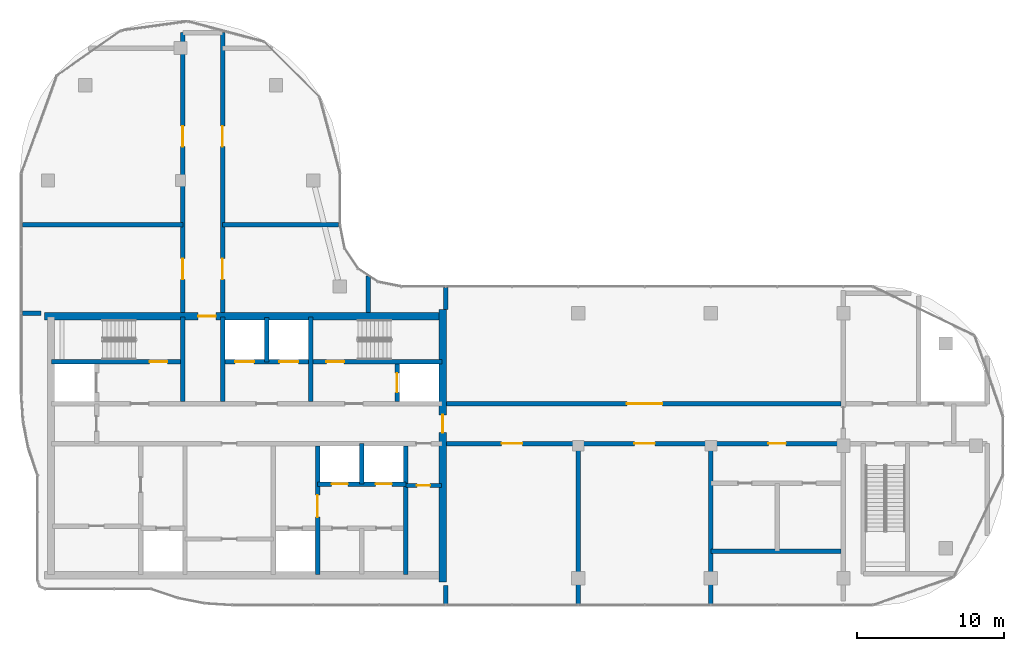
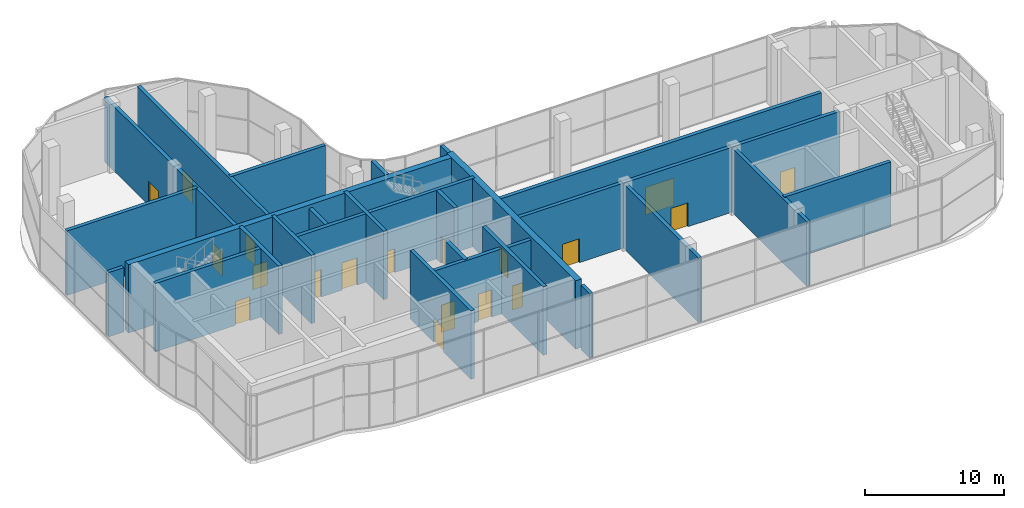
# One storey, part 15 of 19: 27 walls, 19 doors, 19 openings.
"""IFC4 building model written with IfcOpenShell, lengths in metres."""

from ifc_helpers import new_model, si_unit, direction, frame, frame_2d, origin, place, context, subcontext, project, spatial, rectangle, extrude, material, layer, layer_set, type_object, element, fill, save


model = new_model("IFC4")

# Units and contexts
model_context = context("Model", 3, precision=1e-05, world=origin(), true_north=direction((0.0, 1.0)))
body_context = subcontext(model_context, "Body", "Model", "MODEL_VIEW")
ifc_project = project(units=[si_unit("LENGTHUNIT", "METRE"), si_unit("AREAUNIT", "SQUARE_METRE"), si_unit("VOLUMEUNIT", "CUBIC_METRE"), si_unit("PLANEANGLEUNIT", "RADIAN"), si_unit("MASSUNIT", "GRAM", prefix="KILO")], contexts=[model_context])

# Site, building, storey
site_placement = place(None, origin())
site = spatial("IfcSite", under=ifc_project, at=site_placement, CompositionType="ELEMENT")
building_placement = place(site_placement, origin())
building = spatial("IfcBuilding", under=site, at=building_placement, Name="Ogive Portal Towers", CompositionType="ELEMENT")
storey_placement = place(building_placement, frame((0.0, 0.0, 254.89990234375)))
storey = spatial("IfcBuildingStorey", under=building, at=storey_placement, Name="L63", CompositionType="ELEMENT", Elevation=254.89990234375)

# Wall, opening, door
ifc_material_1 = material(Name="Concrete C60/75", Category="concrete")
ifc_layer_1 = layer(ifc_material_1, 0.300048828125)
ifc_layer_set_1 = layer_set([ifc_layer_1], Name="CORE WALL 300 C60")
wall_type_1 = type_object("IfcWallType", Name="CORE WALL 300 C60", PredefinedType="SHEAR", material=ifc_layer_set_1)
wall_1_placement = place(storey_placement, frame((49.800048828125, 21.75, 0.0), z_axis=(0.0, 0.0, 1.0), x_axis=(0.0, 1.0, 0.0)))
wall_1 = element("IfcWall", 1, at=wall_1_placement, inside=storey, type_object=wall_type_1, Name="Core wall X4 L63", PredefinedType="SHEAR", context=body_context, shape_type="SweptSolid", body=[
    extrude(rectangle(XDim=8.75, YDim=0.300048828125, at=frame_2d((4.375, 0.0))), origin(), (0.0, 0.0, 1.0), 6.0),
])
opening_1_placement = place(wall_1_placement, frame((3.89990234375, 0.0, 0.0)))
opening_1 = element("IfcOpeningElement", 2, at=opening_1_placement, cuts=wall_1, Name="Opening D29-001", PredefinedType="OPENING", context=body_context, shape_type="SweptSolid", body=[
    extrude(rectangle(XDim=1.5, YDim=2.10009765625, at=frame_2d((0.75, 1.050048828125))), frame((0.0, 0.16015625, 0.0), z_axis=(0.0, -1.0, 0.0), x_axis=(1.0, 0.0, 0.0)), (0.0, 0.0, 1.0), 0.320068359375),
])
ifc_material_2 = material(Name="Steel fire door", Category="steel")
door_type_1 = type_object("IfcDoorType", Name="DT-SWING-1500x2100-FD90S", OperationType="SINGLE_SWING_LEFT", PredefinedType="DOOR", material=ifc_material_2)
door_1_placement = place(opening_1_placement, origin())
door_1 = element("IfcDoor", 3, at=door_1_placement, inside=storey, type_object=door_type_1, Name="Door D29-001", OperationType="SINGLE_SWING_LEFT", OverallHeight=2.10009765625, OverallWidth=1.5, PredefinedType="DOOR", context=body_context, shape_type="SweptSolid", body=[
    extrude(rectangle(XDim=1.5, YDim=2.10009765625, at=frame_2d((0.75, 1.050048828125))), frame((0.0, 0.02490234375, 0.0), z_axis=(0.0, -1.0, 0.0), x_axis=(1.0, 0.0, 0.0)), (0.0, 0.0, 1.0), 0.050048828125),
])
fill(opening_1, door_1)

# Wall
wall_2_placement = place(storey_placement, frame((55.800048828125, 21.75, 0.0), z_axis=(0.0, 0.0, 1.0), x_axis=(0.0, 1.0, 0.0)))
element("IfcWall", 4, at=wall_2_placement, inside=storey, type_object=wall_type_1, Name="Core wall X5 L63", PredefinedType="SHEAR", context=body_context, shape_type="SweptSolid", body=[
    extrude(rectangle(XDim=8.75, YDim=0.300048828125, at=frame_2d((4.375, 0.0))), origin(), (0.0, 0.0, 1.0), 6.0),
])

# Wall, opening, door
wall_3_placement = place(storey_placement, frame((31.75, 36.199951171875, 0.0), z_axis=(0.0, 0.0, 1.0), x_axis=(1.0, 0.0, 0.0)))
wall_3 = element("IfcWall", 5, at=wall_3_placement, inside=storey, type_object=wall_type_1, Name="Core wall Y3a L63", PredefinedType="SHEAR", context=body_context, shape_type="SweptSolid", body=[
    extrude(rectangle(XDim=8.75, YDim=0.300048828125, at=frame_2d((4.375, 0.0))), origin(), (0.0, 0.0, 1.0), 6.0),
])
opening_2_placement = place(wall_3_placement, frame((6.64990234375, 0.0, 0.0)))
opening_2 = element("IfcOpeningElement", 6, at=opening_2_placement, cuts=wall_3, Name="Opening D29-005", PredefinedType="OPENING", context=body_context, shape_type="SweptSolid", body=[
    extrude(rectangle(XDim=1.199951171875, YDim=2.10009765625, at=frame_2d((0.60009765625, 1.050048828125))), frame((0.0, 0.16015625, 0.0), z_axis=(0.0, -1.0, 0.0), x_axis=(1.0, 0.0, 0.0)), (0.0, 0.0, 1.0), 0.320068359375),
])
door_type_2 = type_object("IfcDoorType", Name="DT-SWING-1200x2100-FD90S", OperationType="SINGLE_SWING_LEFT", PredefinedType="DOOR", material=ifc_material_2)
door_2_placement = place(opening_2_placement, origin())
door_2 = element("IfcDoor", 7, at=door_2_placement, inside=storey, type_object=door_type_2, Name="Door D29-005", OperationType="SINGLE_SWING_RIGHT", OverallHeight=2.10009765625, OverallWidth=1.199951171875, PredefinedType="DOOR", context=body_context, shape_type="SweptSolid", body=[
    extrude(rectangle(XDim=1.199951171875, YDim=2.10009765625, at=frame_2d((0.60009765625, 1.050048828125))), frame((0.0, 0.02490234375, 0.0), z_axis=(0.0, -1.0, 0.0), x_axis=(1.0, 0.0, 0.0)), (0.0, 0.0, 1.0), 0.050048828125),
])
fill(opening_2, door_2)

# Wall, openings, doors
wall_4_placement = place(storey_placement, frame((43.5, 36.199951171875, 0.0), z_axis=(0.0, 0.0, 1.0), x_axis=(1.0, 0.0, 0.0)))
wall_4 = element("IfcWall", 8, at=wall_4_placement, inside=storey, type_object=wall_type_1, Name="Core wall Y3b L63", PredefinedType="SHEAR", context=body_context, shape_type="SweptSolid", body=[
    extrude(rectangle(XDim=14.75, YDim=0.300048828125, at=frame_2d((7.375, 0.0))), origin(), (0.0, 0.0, 1.0), 6.0),
])
opening_3_placement = place(wall_4_placement, frame((6.89990234375, 0.0, 0.0)))
opening_3 = element("IfcOpeningElement", 9, at=opening_3_placement, cuts=wall_4, Name="Opening D29-006", PredefinedType="OPENING", context=body_context, shape_type="SweptSolid", body=[
    extrude(rectangle(XDim=1.199951171875, YDim=2.10009765625, at=frame_2d((0.60009765625, 1.050048828125))), frame((0.0, 0.16015625, 0.0), z_axis=(0.0, -1.0, 0.0), x_axis=(1.0, 0.0, 0.0)), (0.0, 0.0, 1.0), 0.320068359375),
])
opening_4_placement = place(wall_4_placement, frame((0.699951171875, 0.0, 0.0)))
opening_4 = element("IfcOpeningElement", 10, at=opening_4_placement, cuts=wall_4, Name="Opening D29-015", PredefinedType="OPENING", context=body_context, shape_type="SweptSolid", body=[
    extrude(rectangle(XDim=1.300048828125, YDim=2.39990234375, at=frame_2d((0.64990234375, 1.199951171875))), frame((0.0, 0.16015625, 0.0), z_axis=(0.0, -1.0, 0.0), x_axis=(1.0, 0.0, 0.0)), (0.0, 0.0, 1.0), 0.320068359375),
])
opening_5_placement = place(wall_4_placement, frame((3.699951171875, 0.0, 0.0)))
opening_5 = element("IfcOpeningElement", 11, at=opening_5_placement, cuts=wall_4, Name="Opening D29-016", PredefinedType="OPENING", context=body_context, shape_type="SweptSolid", body=[
    extrude(rectangle(XDim=1.300048828125, YDim=2.39990234375, at=frame_2d((0.64990234375, 1.199951171875))), frame((0.0, 0.16015625, 0.0), z_axis=(0.0, -1.0, 0.0), x_axis=(1.0, 0.0, 0.0)), (0.0, 0.0, 1.0), 0.320068359375),
])
ifc_material_3 = material(Name="Stainless steel", Category="steel")
door_type_3 = type_object("IfcDoorType", Name="DT-LD-1300x2400", OperationType="SLIDING_TO_LEFT", PredefinedType="DOOR", material=ifc_material_3)
door_3_placement = place(opening_4_placement, origin())
door_3 = element("IfcDoor", 12, at=door_3_placement, inside=storey, type_object=door_type_3, Name="Door D29-015", OperationType="SLIDING_TO_LEFT", OverallHeight=2.39990234375, OverallWidth=1.300048828125, PredefinedType="DOOR", context=body_context, shape_type="SweptSolid", body=[
    extrude(rectangle(XDim=1.300048828125, YDim=2.39990234375, at=frame_2d((0.64990234375, 1.199951171875))), frame((0.0, 0.02490234375, 0.0), z_axis=(0.0, -1.0, 0.0), x_axis=(1.0, 0.0, 0.0)), (0.0, 0.0, 1.0), 0.050048828125),
])
fill(opening_4, door_3)
door_4_placement = place(opening_5_placement, origin())
door_4 = element("IfcDoor", 13, at=door_4_placement, inside=storey, type_object=door_type_3, Name="Door D29-016", OperationType="SLIDING_TO_LEFT", OverallHeight=2.39990234375, OverallWidth=1.300048828125, PredefinedType="DOOR", context=body_context, shape_type="SweptSolid", body=[
    extrude(rectangle(XDim=1.300048828125, YDim=2.39990234375, at=frame_2d((0.64990234375, 1.199951171875))), frame((0.0, 0.02490234375, 0.0), z_axis=(0.0, -1.0, 0.0), x_axis=(1.0, 0.0, 0.0)), (0.0, 0.0, 1.0), 0.050048828125),
])
fill(opening_5, door_4)
door_5_placement = place(opening_3_placement, origin())
door_5 = element("IfcDoor", 14, at=door_5_placement, inside=storey, type_object=door_type_2, Name="Door D29-006", OperationType="SINGLE_SWING_LEFT", OverallHeight=2.10009765625, OverallWidth=1.199951171875, PredefinedType="DOOR", context=body_context, shape_type="SweptSolid", body=[
    extrude(rectangle(XDim=1.199951171875, YDim=2.10009765625, at=frame_2d((0.60009765625, 1.050048828125))), frame((0.0, 0.02490234375, 0.0), z_axis=(0.0, -1.0, 0.0), x_axis=(1.0, 0.0, 0.0)), (0.0, 0.0, 1.0), 0.050048828125),
])
fill(opening_3, door_5)

# Walls
for number, where, z_axis, x_axis, name in (
    (15, (40.64990234375, 33.5, 0.0), (0.0, 0.0, 1.0), (0.0, 1.0, 0.0), "Core wall X6 L63"),
    (16, (43.35009765625, 33.5, 0.0), (0.0, 0.0, 1.0), (0.0, 1.0, 0.0), "Core wall X7 L63"),
    (17, (49.35009765625, 33.5, 0.0), (0.0, 0.0, 1.0), (0.0, 1.0, 0.0), "Core wall X9 L63"),
):
    element("IfcWall", number, at=place(storey_placement, frame(where, z_axis=z_axis, x_axis=x_axis)), inside=storey, type_object=wall_type_1, Name=name, PredefinedType="SHEAR", context=body_context, shape_type="SweptSolid", body=[
        extrude(rectangle(XDim=5.75, YDim=0.300048828125, at=frame_2d((2.875, 0.0))), origin(), (0.0, 0.0, 1.0), 6.0),
    ])

# Wall, opening, door
wall_5_placement = place(storey_placement, frame((55.199951171875, 33.5, 0.0), z_axis=(0.0, 0.0, 1.0), x_axis=(0.0, 1.0, 0.0)))
wall_5 = element("IfcWall", 18, at=wall_5_placement, inside=storey, type_object=wall_type_1, Name="Core wall X10 L63", PredefinedType="SHEAR", context=body_context, shape_type="SweptSolid", body=[
    extrude(rectangle(XDim=2.550048828125, YDim=0.300048828125, at=frame_2d((1.27490234375, 0.0))), origin(), (0.0, 0.0, 1.0), 6.0),
])
opening_6_placement = place(wall_5_placement, frame((0.625, 0.0, 0.0)))
opening_6 = element("IfcOpeningElement", 19, at=opening_6_placement, cuts=wall_5, Name="Opening D29-018", PredefinedType="OPENING", context=body_context, shape_type="SweptSolid", body=[
    extrude(rectangle(XDim=1.300048828125, YDim=2.39990234375, at=frame_2d((0.64990234375, 1.199951171875))), frame((0.0, 0.16015625, 0.0), z_axis=(0.0, -1.0, 0.0), x_axis=(1.0, 0.0, 0.0)), (0.0, 0.0, 1.0), 0.320068359375),
])
door_6_placement = place(opening_6_placement, origin())
door_6 = element("IfcDoor", 20, at=door_6_placement, inside=storey, type_object=door_type_3, Name="Door D29-018", OperationType="SLIDING_TO_LEFT", OverallHeight=2.39990234375, OverallWidth=1.300048828125, PredefinedType="DOOR", context=body_context, shape_type="SweptSolid", body=[
    extrude(rectangle(XDim=1.300048828125, YDim=2.39990234375, at=frame_2d((0.64990234375, 1.199951171875))), frame((0.0, 0.02490234375, 0.0), z_axis=(0.0, -1.0, 0.0), x_axis=(1.0, 0.0, 0.0)), (0.0, 0.0, 1.0), 0.050048828125),
])
fill(opening_6, door_6)

ifc_layer_2 = layer(ifc_material_1, 0.5)
ifc_layer_set_2 = layer_set([ifc_layer_2], Name="CORE WALL 500 C60")
wall_type_2 = type_object("IfcWallType", Name="CORE WALL 500 C60", PredefinedType="SHEAR", material=ifc_layer_set_2)
wall_6_placement = place(storey_placement, frame((58.300048828125, 21.25, 0.0), z_axis=(0.0, 0.0, 1.0), x_axis=(0.0, 1.0, 0.0)))
wall_6 = element("IfcWall", 21, at=wall_6_placement, inside=storey, type_object=wall_type_2, Name="Core wall E L63", PredefinedType="SHEAR", context=body_context, shape_type="SweptSolid", body=[
    extrude(rectangle(XDim=18.5, YDim=0.5, at=frame_2d((9.25, 0.0))), origin(), (0.0, 0.0, 1.0), 6.0),
])
opening_7_placement = place(wall_6_placement, frame((10.14990234375, 0.0, 0.0)))
opening_7 = element("IfcOpeningElement", 22, at=opening_7_placement, cuts=wall_6, Name="Opening D29-011", PredefinedType="OPENING", context=body_context, shape_type="SweptSolid", body=[
    extrude(rectangle(XDim=1.199951171875, YDim=2.10009765625, at=frame_2d((0.60009765625, 1.050048828125))), frame((0.0, 0.260009765625, 0.0), z_axis=(0.0, -1.0, 0.0), x_axis=(1.0, 0.0, 0.0)), (0.0, 0.0, 1.0), 0.52001953125),
])
door_7_placement = place(opening_7_placement, origin())
door_7 = element("IfcDoor", 23, at=door_7_placement, inside=storey, type_object=door_type_2, Name="Door D29-011", OperationType="SINGLE_SWING_LEFT", OverallHeight=2.10009765625, OverallWidth=1.199951171875, PredefinedType="DOOR", context=body_context, shape_type="SweptSolid", body=[
    extrude(rectangle(XDim=1.199951171875, YDim=2.10009765625, at=frame_2d((0.60009765625, 1.050048828125))), frame((0.0, 0.02490234375, 0.0), z_axis=(0.0, -1.0, 0.0), x_axis=(1.0, 0.0, 0.0)), (0.0, 0.0, 1.0), 0.050048828125),
])
fill(opening_7, door_7)

wall_7_placement = place(storey_placement, frame((31.25, 39.300048828125, 0.0), z_axis=(0.0, 0.0, 1.0), x_axis=(1.0, 0.0, 0.0)))
wall_7 = element("IfcWall", 24, at=wall_7_placement, inside=storey, type_object=wall_type_2, Name="Core wall N L63", PredefinedType="SHEAR", context=body_context, shape_type="SweptSolid", body=[
    extrude(rectangle(XDim=27.0, YDim=0.5, at=frame_2d((13.5, 0.0))), origin(), (0.0, 0.0, 1.0), 6.0),
])
opening_8_placement = place(wall_7_placement, frame((10.449951171875, 0.0, 0.0)))
opening_8 = element("IfcOpeningElement", 25, at=opening_8_placement, cuts=wall_7, Name="Opening D29-012", PredefinedType="OPENING", context=body_context, shape_type="SweptSolid", body=[
    extrude(rectangle(XDim=1.199951171875, YDim=2.10009765625, at=frame_2d((0.60009765625, 1.050048828125))), frame((0.0, 0.260009765625, 0.0), z_axis=(0.0, -1.0, 0.0), x_axis=(1.0, 0.0, 0.0)), (0.0, 0.0, 1.0), 0.52001953125),
])
door_8_placement = place(opening_8_placement, origin())
door_8 = element("IfcDoor", 26, at=door_8_placement, inside=storey, type_object=door_type_2, Name="Door D29-012", OperationType="SINGLE_SWING_RIGHT", OverallHeight=2.10009765625, OverallWidth=1.199951171875, PredefinedType="DOOR", context=body_context, shape_type="SweptSolid", body=[
    extrude(rectangle(XDim=1.199951171875, YDim=2.10009765625, at=frame_2d((0.60009765625, 1.050048828125))), frame((0.0, 0.02490234375, 0.0), z_axis=(0.0, -1.0, 0.0), x_axis=(1.0, 0.0, 0.0)), (0.0, 0.0, 1.0), 0.050048828125),
])
fill(opening_8, door_8)

ifc_material_4 = material(Name="Gypsum board partition on steel studs", Category="steel")
ifc_layer_3 = layer(ifc_material_4, 0.300048828125)
ifc_layer_set_3 = layer_set([ifc_layer_3], Name="WT-PART-300")
wall_type_3 = type_object("IfcWallType", Name="WT-PART-300", PredefinedType="PARTITIONING", material=ifc_layer_set_3)
wall_8_placement = place(storey_placement, frame((55.800048828125, 27.800048828125, 0.0), z_axis=(0.0, 0.0, 1.0), x_axis=(1.0, 0.0, 0.0)))
wall_8 = element("IfcWall", 27, at=wall_8_placement, inside=storey, type_object=wall_type_3, Name="Wall pw:005:L63", PredefinedType="PARTITIONING", context=body_context, shape_type="SweptSolid", body=[
    extrude(rectangle(XDim=2.39990234375, YDim=0.300048828125, at=frame_2d((1.199951171875, 0.0))), origin(), (0.0, 0.0, 1.0), 5.7001953125),
])
opening_9_placement = place(wall_8_placement, frame((0.75, 0.0, 0.0)))
opening_9 = element("IfcOpeningElement", 28, at=opening_9_placement, cuts=wall_8, Name="Opening D29-010", PredefinedType="OPENING", context=body_context, shape_type="SweptSolid", body=[
    extrude(rectangle(XDim=0.89990234375, YDim=2.10009765625, at=frame_2d((0.449951171875, 1.050048828125))), frame((0.0, 0.16015625, 0.0), z_axis=(0.0, -1.0, 0.0), x_axis=(1.0, 0.0, 0.0)), (0.0, 0.0, 1.0), 0.320068359375),
])
door_type_4 = type_object("IfcDoorType", Name="DT-SWING-900x2100-FD60S", OperationType="SINGLE_SWING_LEFT", PredefinedType="DOOR", material=ifc_material_2)
door_9_placement = place(opening_9_placement, origin())
door_9 = element("IfcDoor", 29, at=door_9_placement, inside=storey, type_object=door_type_4, Name="Door D29-010", OperationType="SINGLE_SWING_RIGHT", OverallHeight=2.10009765625, OverallWidth=0.89990234375, PredefinedType="DOOR", context=body_context, shape_type="SweptSolid", body=[
    extrude(rectangle(XDim=0.89990234375, YDim=2.10009765625, at=frame_2d((0.449951171875, 1.050048828125))), frame((0.0, 0.02490234375, 0.0), z_axis=(0.0, -1.0, 0.0), x_axis=(1.0, 0.0, 0.0)), (0.0, 0.0, 1.0), 0.050048828125),
])
fill(opening_9, door_9)

# Wall, openings, doors
ifc_layer_4 = layer(ifc_material_4, 0.300048828125)
ifc_layer_set_4 = layer_set([ifc_layer_4], Name="WT-PART-300-EI 120")
wall_type_4 = type_object("IfcWallType", Name="WT-PART-300-EI 120", PredefinedType="PARTITIONING", material=ifc_layer_set_4)
wall_9_placement = place(storey_placement, frame((58.550048828125, 30.64990234375, 0.0), z_axis=(0.0, 0.0, 1.0), x_axis=(1.0, 0.0, 0.0)))
wall_9 = element("IfcWall", 30, at=wall_9_placement, inside=storey, type_object=wall_type_4, Name="Wall L63:w004", PredefinedType="PARTITIONING", context=body_context, shape_type="SweptSolid", body=[
    extrude(rectangle(XDim=26.780029296875, YDim=0.300048828125, at=frame_2d((13.39013671875, 0.0))), origin(), (0.0, 0.0, 1.0), 5.7001953125),
])
opening_10_placement = place(wall_9_placement, frame((3.75, 0.0, 0.0)))
opening_10 = element("IfcOpeningElement", 31, at=opening_10_placement, cuts=wall_9, Name="Opening D29-027", PredefinedType="OPENING", context=body_context, shape_type="SweptSolid", body=[
    extrude(rectangle(XDim=1.39990234375, YDim=2.10009765625, at=frame_2d((0.699951171875, 1.050048828125))), frame((0.0, 0.16015625, 0.0), z_axis=(0.0, -1.0, 0.0), x_axis=(1.0, 0.0, 0.0)), (0.0, 0.0, 1.0), 0.320068359375),
])
opening_11_placement = place(wall_9_placement, frame((12.75, 0.0, 0.0)))
opening_11 = element("IfcOpeningElement", 32, at=opening_11_placement, cuts=wall_9, Name="Opening D29-028", PredefinedType="OPENING", context=body_context, shape_type="SweptSolid", body=[
    extrude(rectangle(XDim=1.39990234375, YDim=2.10009765625, at=frame_2d((0.699951171875, 1.050048828125))), frame((0.0, 0.16015625, 0.0), z_axis=(0.0, -1.0, 0.0), x_axis=(1.0, 0.0, 0.0)), (0.0, 0.0, 1.0), 0.320068359375),
])
opening_12_placement = place(wall_9_placement, frame((21.85009765625, 0.0, 0.0)))
opening_12 = element("IfcOpeningElement", 33, at=opening_12_placement, cuts=wall_9, Name="Opening D29-029", PredefinedType="OPENING", context=body_context, shape_type="SweptSolid", body=[
    extrude(rectangle(XDim=1.199951171875, YDim=2.10009765625, at=frame_2d((0.60009765625, 1.050048828125))), frame((0.0, 0.16015625, 0.0), z_axis=(0.0, -1.0, 0.0), x_axis=(1.0, 0.0, 0.0)), (0.0, 0.0, 1.0), 0.320068359375),
])
door_type_5 = type_object("IfcDoorType", Name="DT-ENTRY-1200x2100-FD90S", OperationType="SINGLE_SWING_LEFT", PredefinedType="DOOR", material=ifc_material_2)
door_10_placement = place(opening_12_placement, origin())
door_10 = element("IfcDoor", 34, at=door_10_placement, inside=storey, type_object=door_type_5, Name="Door D29-029", OperationType="SINGLE_SWING_LEFT", OverallHeight=2.10009765625, OverallWidth=1.199951171875, PredefinedType="DOOR", context=body_context, shape_type="SweptSolid", body=[
    extrude(rectangle(XDim=1.199951171875, YDim=2.10009765625, at=frame_2d((0.60009765625, 1.050048828125))), frame((0.0, 0.02490234375, 0.0), z_axis=(0.0, -1.0, 0.0), x_axis=(1.0, 0.0, 0.0)), (0.0, 0.0, 1.0), 0.050048828125),
])
fill(opening_12, door_10)
door_type_6 = type_object("IfcDoorType", Name="DT-ENTRY-1400x2100-FD90S", OperationType="SINGLE_SWING_LEFT", PredefinedType="DOOR", material=ifc_material_2)
door_11_placement = place(opening_10_placement, origin())
door_11 = element("IfcDoor", 35, at=door_11_placement, inside=storey, type_object=door_type_6, Name="Door D29-027", OperationType="SINGLE_SWING_LEFT", OverallHeight=2.10009765625, OverallWidth=1.39990234375, PredefinedType="DOOR", context=body_context, shape_type="SweptSolid", body=[
    extrude(rectangle(XDim=1.39990234375, YDim=2.10009765625, at=frame_2d((0.699951171875, 1.050048828125))), frame((0.0, 0.02490234375, 0.0), z_axis=(0.0, -1.0, 0.0), x_axis=(1.0, 0.0, 0.0)), (0.0, 0.0, 1.0), 0.050048828125),
])
fill(opening_10, door_11)
door_12_placement = place(opening_11_placement, origin())
door_12 = element("IfcDoor", 36, at=door_12_placement, inside=storey, type_object=door_type_6, Name="Door D29-028", OperationType="SINGLE_SWING_LEFT", OverallHeight=2.10009765625, OverallWidth=1.39990234375, PredefinedType="DOOR", context=body_context, shape_type="SweptSolid", body=[
    extrude(rectangle(XDim=1.39990234375, YDim=2.10009765625, at=frame_2d((0.699951171875, 1.050048828125))), frame((0.0, 0.02490234375, 0.0), z_axis=(0.0, -1.0, 0.0), x_axis=(1.0, 0.0, 0.0)), (0.0, 0.0, 1.0), 0.050048828125),
])
fill(opening_11, door_12)

# Wall, opening, door
wall_10_placement = place(storey_placement, frame((58.550048828125, 33.35009765625, 0.0), z_axis=(0.0, 0.0, 1.0), x_axis=(1.0, 0.0, 0.0)))
wall_10 = element("IfcWall", 37, at=wall_10_placement, inside=storey, type_object=wall_type_4, Name="Wall L63:w006", PredefinedType="PARTITIONING", context=body_context, shape_type="SweptSolid", body=[
    extrude(rectangle(XDim=26.780029296875, YDim=0.300048828125, at=frame_2d((13.39013671875, 0.0))), origin(), (0.0, 0.0, 1.0), 5.7001953125),
])
opening_13_placement = place(wall_10_placement, frame((12.25, 0.0, 0.0)))
opening_13 = element("IfcOpeningElement", 38, at=opening_13_placement, cuts=wall_10, Name="Opening D29-026", PredefinedType="OPENING", context=body_context, shape_type="SweptSolid", body=[
    extrude(rectangle(XDim=2.39990234375, YDim=2.39990234375, at=frame_2d((1.199951171875, 1.199951171875))), frame((0.0, 0.16015625, 0.0), z_axis=(0.0, -1.0, 0.0), x_axis=(1.0, 0.0, 0.0)), (0.0, 0.0, 1.0), 0.320068359375),
])
door_type_7 = type_object("IfcDoorType", Name="DT-ENTRY-2400x2400-FD90S", OperationType="SINGLE_SWING_LEFT", PredefinedType="DOOR", material=ifc_material_2)
door_13_placement = place(opening_13_placement, origin())
door_13 = element("IfcDoor", 39, at=door_13_placement, inside=storey, type_object=door_type_7, Name="Door D29-026", OperationType="SINGLE_SWING_LEFT", OverallHeight=2.39990234375, OverallWidth=2.39990234375, PredefinedType="DOOR", context=body_context, shape_type="SweptSolid", body=[
    extrude(rectangle(XDim=2.39990234375, YDim=2.39990234375, at=frame_2d((1.199951171875, 1.199951171875))), frame((0.0, 0.02490234375, 0.0), z_axis=(0.0, -1.0, 0.0), x_axis=(1.0, 0.0, 0.0)), (0.0, 0.0, 1.0), 0.050048828125),
])
fill(opening_13, door_13)

# Walls
ifc_layer_5 = layer(ifc_material_4, 0.300048828125)
ifc_layer_set_5 = layer_set([ifc_layer_5], Name="WT-PART-300-EI 60")
wall_type_5 = type_object("IfcWallType", Name="WT-PART-300-EI 60", PredefinedType="PARTITIONING", material=ifc_layer_set_5)
wall_11_placement = place(storey_placement, frame((76.5, 23.35009765625, 0.0), z_axis=(0.0, 0.0, 1.0), x_axis=(1.0, 0.0, 0.0)))
element("IfcWall", 40, at=wall_11_placement, inside=storey, type_object=wall_type_5, Name="Wall L63:w002", PredefinedType="PARTITIONING", context=body_context, shape_type="SweptSolid", body=[
    extrude(rectangle(XDim=8.830078125, YDim=0.300048828125, at=frame_2d((4.4150390625, 0.0))), origin(), (0.0, 0.0, 1.0), 5.7001953125),
])
wall_12_placement = place(storey_placement, frame((29.77001953125, 39.5, 0.0), z_axis=(0.0, 0.0, 1.0), x_axis=(1.0, 0.0, 0.0)))
element("IfcWall", 41, at=wall_12_placement, inside=storey, type_object=wall_type_5, Name="Wall L63:w008", PredefinedType="PARTITIONING", context=body_context, shape_type="SweptSolid", body=[
    extrude(rectangle(XDim=1.260009765625, YDim=0.300048828125, at=frame_2d((0.6298828125, 0.0))), origin(), (0.0, 0.0, 1.0), 5.650146484375),
])
wall_13_placement = place(storey_placement, frame((29.77001953125, 45.5, 0.0), z_axis=(0.0, 0.0, 1.0), x_axis=(1.0, 0.0, 0.0)))
element("IfcWall", 42, at=wall_13_placement, inside=storey, type_object=wall_type_5, Name="Wall L63:w010", PredefinedType="PARTITIONING", context=body_context, shape_type="SweptSolid", body=[
    extrude(rectangle(XDim=10.8798828125, YDim=0.300048828125, at=frame_2d((5.43994140625, 0.0))), origin(), (0.0, 0.0, 1.0), 5.650146484375),
])
wall_14_placement = place(storey_placement, frame((43.35009765625, 45.5, 0.0), z_axis=(0.0, 0.0, 1.0), x_axis=(1.0, 0.0, 0.0)))
element("IfcWall", 43, at=wall_14_placement, inside=storey, type_object=wall_type_5, Name="Wall L63:w011", PredefinedType="PARTITIONING", context=body_context, shape_type="SweptSolid", body=[
    extrude(rectangle(XDim=7.8798828125, YDim=0.300048828125, at=frame_2d((3.93994140625, 0.0))), origin(), (0.0, 0.0, 1.0), 5.650146484375),
])

# Wall, openings, doors
wall_15_placement = place(storey_placement, frame((40.64990234375, 39.550048828125, 0.0), z_axis=(0.0, 0.0, 1.0), x_axis=(0.0, 1.0, 0.0)))
wall_15 = element("IfcWall", 44, at=wall_15_placement, inside=storey, type_object=wall_type_5, Name="Wall L63:w015", PredefinedType="PARTITIONING", context=body_context, shape_type="SweptSolid", body=[
    extrude(rectangle(XDim=19.0, YDim=0.300048828125, at=frame_2d((9.5, 0.0))), origin(), (0.0, 0.0, 1.0), 5.650146484375),
])
opening_14_placement = place(wall_15_placement, frame((2.25, 0.0, 0.0)))
opening_14 = element("IfcOpeningElement", 45, at=opening_14_placement, cuts=wall_15, Name="Opening D29-033", PredefinedType="OPENING", context=body_context, shape_type="SweptSolid", body=[
    extrude(rectangle(XDim=1.39990234375, YDim=2.10009765625, at=frame_2d((0.699951171875, 1.050048828125))), frame((0.0, 0.16015625, 0.0), z_axis=(0.0, -1.0, 0.0), x_axis=(1.0, 0.0, 0.0)), (0.0, 0.0, 1.0), 0.320068359375),
])
opening_15_placement = place(wall_15_placement, frame((11.25, 0.0, 0.0)))
opening_15 = element("IfcOpeningElement", 46, at=opening_15_placement, cuts=wall_15, Name="Opening D29-035", PredefinedType="OPENING", context=body_context, shape_type="SweptSolid", body=[
    extrude(rectangle(XDim=1.39990234375, YDim=2.10009765625, at=frame_2d((0.699951171875, 1.050048828125))), frame((0.0, 0.16015625, 0.0), z_axis=(0.0, -1.0, 0.0), x_axis=(1.0, 0.0, 0.0)), (0.0, 0.0, 1.0), 0.320068359375),
])
door_type_8 = type_object("IfcDoorType", Name="DT-ENTRY-1400x2100-FD60S", OperationType="SINGLE_SWING_LEFT", PredefinedType="DOOR", material=ifc_material_2)
door_14_placement = place(opening_14_placement, origin())
door_14 = element("IfcDoor", 47, at=door_14_placement, inside=storey, type_object=door_type_8, Name="Door D29-033", OperationType="SINGLE_SWING_LEFT", OverallHeight=2.10009765625, OverallWidth=1.39990234375, PredefinedType="DOOR", context=body_context, shape_type="SweptSolid", body=[
    extrude(rectangle(XDim=1.39990234375, YDim=2.10009765625, at=frame_2d((0.699951171875, 1.050048828125))), frame((0.0, 0.02490234375, 0.0), z_axis=(0.0, -1.0, 0.0), x_axis=(1.0, 0.0, 0.0)), (0.0, 0.0, 1.0), 0.050048828125),
])
fill(opening_14, door_14)
door_15_placement = place(opening_15_placement, origin())
door_15 = element("IfcDoor", 48, at=door_15_placement, inside=storey, type_object=door_type_8, Name="Door D29-035", OperationType="SINGLE_SWING_LEFT", OverallHeight=2.10009765625, OverallWidth=1.39990234375, PredefinedType="DOOR", context=body_context, shape_type="SweptSolid", body=[
    extrude(rectangle(XDim=1.39990234375, YDim=2.10009765625, at=frame_2d((0.699951171875, 1.050048828125))), frame((0.0, 0.02490234375, 0.0), z_axis=(0.0, -1.0, 0.0), x_axis=(1.0, 0.0, 0.0)), (0.0, 0.0, 1.0), 0.050048828125),
])
fill(opening_15, door_15)

wall_16_placement = place(storey_placement, frame((43.35009765625, 39.550048828125, 0.0), z_axis=(0.0, 0.0, 1.0), x_axis=(0.0, 1.0, 0.0)))
wall_16 = element("IfcWall", 49, at=wall_16_placement, inside=storey, type_object=wall_type_5, Name="Wall L63:w016", PredefinedType="PARTITIONING", context=body_context, shape_type="SweptSolid", body=[
    extrude(rectangle(XDim=19.0, YDim=0.300048828125, at=frame_2d((9.5, 0.0))), origin(), (0.0, 0.0, 1.0), 5.650146484375),
])
opening_16_placement = place(wall_16_placement, frame((2.25, 0.0, 0.0)))
opening_16 = element("IfcOpeningElement", 50, at=opening_16_placement, cuts=wall_16, Name="Opening D29-032", PredefinedType="OPENING", context=body_context, shape_type="SweptSolid", body=[
    extrude(rectangle(XDim=1.39990234375, YDim=2.10009765625, at=frame_2d((0.699951171875, 1.050048828125))), frame((0.0, 0.16015625, 0.0), z_axis=(0.0, -1.0, 0.0), x_axis=(1.0, 0.0, 0.0)), (0.0, 0.0, 1.0), 0.320068359375),
])
opening_17_placement = place(wall_16_placement, frame((11.25, 0.0, 0.0)))
opening_17 = element("IfcOpeningElement", 51, at=opening_17_placement, cuts=wall_16, Name="Opening D29-034", PredefinedType="OPENING", context=body_context, shape_type="SweptSolid", body=[
    extrude(rectangle(XDim=1.39990234375, YDim=2.10009765625, at=frame_2d((0.699951171875, 1.050048828125))), frame((0.0, 0.16015625, 0.0), z_axis=(0.0, -1.0, 0.0), x_axis=(1.0, 0.0, 0.0)), (0.0, 0.0, 1.0), 0.320068359375),
])
door_16_placement = place(opening_16_placement, origin())
door_16 = element("IfcDoor", 52, at=door_16_placement, inside=storey, type_object=door_type_8, Name="Door D29-032", OperationType="SINGLE_SWING_LEFT", OverallHeight=2.10009765625, OverallWidth=1.39990234375, PredefinedType="DOOR", context=body_context, shape_type="SweptSolid", body=[
    extrude(rectangle(XDim=1.39990234375, YDim=2.10009765625, at=frame_2d((0.699951171875, 1.050048828125))), frame((0.0, 0.02490234375, 0.0), z_axis=(0.0, -1.0, 0.0), x_axis=(1.0, 0.0, 0.0)), (0.0, 0.0, 1.0), 0.050048828125),
])
fill(opening_16, door_16)
door_17_placement = place(opening_17_placement, origin())
door_17 = element("IfcDoor", 53, at=door_17_placement, inside=storey, type_object=door_type_8, Name="Door D29-034", OperationType="SINGLE_SWING_LEFT", OverallHeight=2.10009765625, OverallWidth=1.39990234375, PredefinedType="DOOR", context=body_context, shape_type="SweptSolid", body=[
    extrude(rectangle(XDim=1.39990234375, YDim=2.10009765625, at=frame_2d((0.699951171875, 1.050048828125))), frame((0.0, 0.02490234375, 0.0), z_axis=(0.0, -1.0, 0.0), x_axis=(1.0, 0.0, 0.0)), (0.0, 0.0, 1.0), 0.050048828125),
])
fill(opening_17, door_17)

# Walls
wall_17_placement = place(storey_placement, frame((53.25, 39.550048828125, 0.0), z_axis=(0.0, 0.0, 1.0), x_axis=(0.0, 1.0, 0.0)))
element("IfcWall", 54, at=wall_17_placement, inside=storey, type_object=wall_type_5, Name="Wall L63:w017", PredefinedType="PARTITIONING", context=body_context, shape_type="SweptSolid", body=[
    extrude(rectangle(XDim=2.487060546875, YDim=0.300048828125, at=frame_2d((1.24365234375, 0.0))), origin(), (0.0, 0.0, 1.0), 5.650146484375),
])
wall_18_placement = place(storey_placement, frame((58.5, 19.77001953125, 0.0), z_axis=(0.0, 0.0, 1.0), x_axis=(0.0, 1.0, 0.0)))
element("IfcWall", 55, at=wall_18_placement, inside=storey, type_object=wall_type_5, Name="Wall L63:w018", PredefinedType="PARTITIONING", context=body_context, shape_type="SweptSolid", body=[
    extrude(rectangle(XDim=1.260009765625, YDim=0.300048828125, at=frame_2d((0.6298828125, 0.0))), origin(), (0.0, 0.0, 1.0), 5.650146484375),
])
wall_19_placement = place(storey_placement, frame((58.5, 39.75, 0.0), z_axis=(0.0, 0.0, 1.0), x_axis=(0.0, 1.0, 0.0)))
element("IfcWall", 56, at=wall_19_placement, inside=storey, type_object=wall_type_5, Name="Wall L63:w019", PredefinedType="PARTITIONING", context=body_context, shape_type="SweptSolid", body=[
    extrude(rectangle(XDim=1.47998046875, YDim=0.300048828125, at=frame_2d((0.739990234375, 0.0))), origin(), (0.0, 0.0, 1.0), 5.650146484375),
])
for number, where, z_axis, x_axis, name in (
    (57, (67.5, 19.77001953125, 0.0), (0.0, 0.0, 1.0), (0.0, 1.0, 0.0), "Wall L63:w020"),
    (58, (76.5, 19.77001953125, 0.0), (0.0, 0.0, 1.0), (0.0, 1.0, 0.0), "Wall L63:w021"),
):
    element("IfcWall", number, at=place(storey_placement, frame(where, z_axis=z_axis, x_axis=x_axis)), inside=storey, type_object=wall_type_5, Name=name, PredefinedType="PARTITIONING", context=body_context, shape_type="SweptSolid", body=[
        extrude(rectangle(XDim=10.8798828125, YDim=0.300048828125, at=frame_2d((5.43994140625, 0.0))), origin(), (0.0, 0.0, 1.0), 5.650146484375),
    ])

# Wall, openings, doors
ifc_material_5 = material(Name="Concrete C40/50", Category="concrete")
ifc_layer_6 = layer(ifc_material_5, 0.300048828125)
ifc_layer_set_6 = layer_set([ifc_layer_6], Name="WT-SHAFT-300")
wall_type_6 = type_object("IfcWallType", Name="WT-SHAFT-300", PredefinedType="SOLIDWALL", material=ifc_layer_set_6)
wall_20_placement = place(storey_placement, frame((49.800048828125, 27.89990234375, 0.0), z_axis=(0.0, 0.0, 1.0), x_axis=(1.0, 0.0, 0.0)))
wall_20 = element("IfcWall", 59, at=wall_20_placement, inside=storey, type_object=wall_type_6, Name="Wall pw:006:L63", PredefinedType="SOLIDWALL", context=body_context, shape_type="SweptSolid", body=[
    extrude(rectangle(XDim=6.0, YDim=0.300048828125, at=frame_2d((3.0, 0.0))), origin(), (0.0, 0.0, 1.0), 5.7001953125),
])
opening_18_placement = place(wall_20_placement, frame((0.949951171875, 0.0, 0.0)))
opening_18 = element("IfcOpeningElement", 60, at=opening_18_placement, cuts=wall_20, Name="Opening D29-013", PredefinedType="OPENING", context=body_context, shape_type="SweptSolid", body=[
    extrude(rectangle(XDim=1.10009765625, YDim=2.39990234375, at=frame_2d((0.550048828125, 1.199951171875))), frame((0.0, 0.16015625, 0.0), z_axis=(0.0, -1.0, 0.0), x_axis=(1.0, 0.0, 0.0)), (0.0, 0.0, 1.0), 0.320068359375),
])
opening_19_placement = place(wall_20_placement, frame((3.949951171875, 0.0, 0.0)))
opening_19 = element("IfcOpeningElement", 61, at=opening_19_placement, cuts=wall_20, Name="Opening D29-014", PredefinedType="OPENING", context=body_context, shape_type="SweptSolid", body=[
    extrude(rectangle(XDim=1.10009765625, YDim=2.39990234375, at=frame_2d((0.550048828125, 1.199951171875))), frame((0.0, 0.16015625, 0.0), z_axis=(0.0, -1.0, 0.0), x_axis=(1.0, 0.0, 0.0)), (0.0, 0.0, 1.0), 0.320068359375),
])
door_type_9 = type_object("IfcDoorType", Name="DT-LD-1100x2400", OperationType="SLIDING_TO_LEFT", PredefinedType="DOOR", material=ifc_material_3)
door_18_placement = place(opening_18_placement, origin())
door_18 = element("IfcDoor", 62, at=door_18_placement, inside=storey, type_object=door_type_9, Name="Door D29-013", OperationType="SLIDING_TO_LEFT", OverallHeight=2.39990234375, OverallWidth=1.10009765625, PredefinedType="DOOR", context=body_context, shape_type="SweptSolid", body=[
    extrude(rectangle(XDim=1.10009765625, YDim=2.39990234375, at=frame_2d((0.550048828125, 1.199951171875))), frame((0.0, 0.02490234375, 0.0), z_axis=(0.0, -1.0, 0.0), x_axis=(1.0, 0.0, 0.0)), (0.0, 0.0, 1.0), 0.050048828125),
])
fill(opening_18, door_18)
door_19_placement = place(opening_19_placement, origin())
door_19 = element("IfcDoor", 63, at=door_19_placement, inside=storey, type_object=door_type_9, Name="Door D29-014", OperationType="SLIDING_TO_LEFT", OverallHeight=2.39990234375, OverallWidth=1.10009765625, PredefinedType="DOOR", context=body_context, shape_type="SweptSolid", body=[
    extrude(rectangle(XDim=1.10009765625, YDim=2.39990234375, at=frame_2d((0.550048828125, 1.199951171875))), frame((0.0, 0.02490234375, 0.0), z_axis=(0.0, -1.0, 0.0), x_axis=(1.0, 0.0, 0.0)), (0.0, 0.0, 1.0), 0.050048828125),
])
fill(opening_19, door_19)

# Walls
wall_21_placement = place(storey_placement, frame((46.35009765625, 36.199951171875, 0.0), z_axis=(0.0, 0.0, 1.0), x_axis=(0.0, 1.0, 0.0)))
element("IfcWall", 64, at=wall_21_placement, inside=storey, type_object=wall_type_6, Name="Wall pw:008:L63", PredefinedType="SOLIDWALL", context=body_context, shape_type="SweptSolid", body=[
    extrude(rectangle(XDim=3.0, YDim=0.300048828125, at=frame_2d((1.5, 0.0))), origin(), (0.0, 0.0, 1.0), 5.7001953125),
])
wall_22_placement = place(storey_placement, frame((52.800048828125, 27.89990234375, 0.0), z_axis=(0.0, 0.0, 1.0), x_axis=(0.0, 1.0, 0.0)))
element("IfcWall", 65, at=wall_22_placement, inside=storey, type_object=wall_type_6, Name="Wall pw:010:L63", PredefinedType="SOLIDWALL", context=body_context, shape_type="SweptSolid", body=[
    extrude(rectangle(XDim=2.75, YDim=0.300048828125, at=frame_2d((1.375, 0.0))), origin(), (0.0, 0.0, 1.0), 5.7001953125),
])

save(model, "model.ifc")
